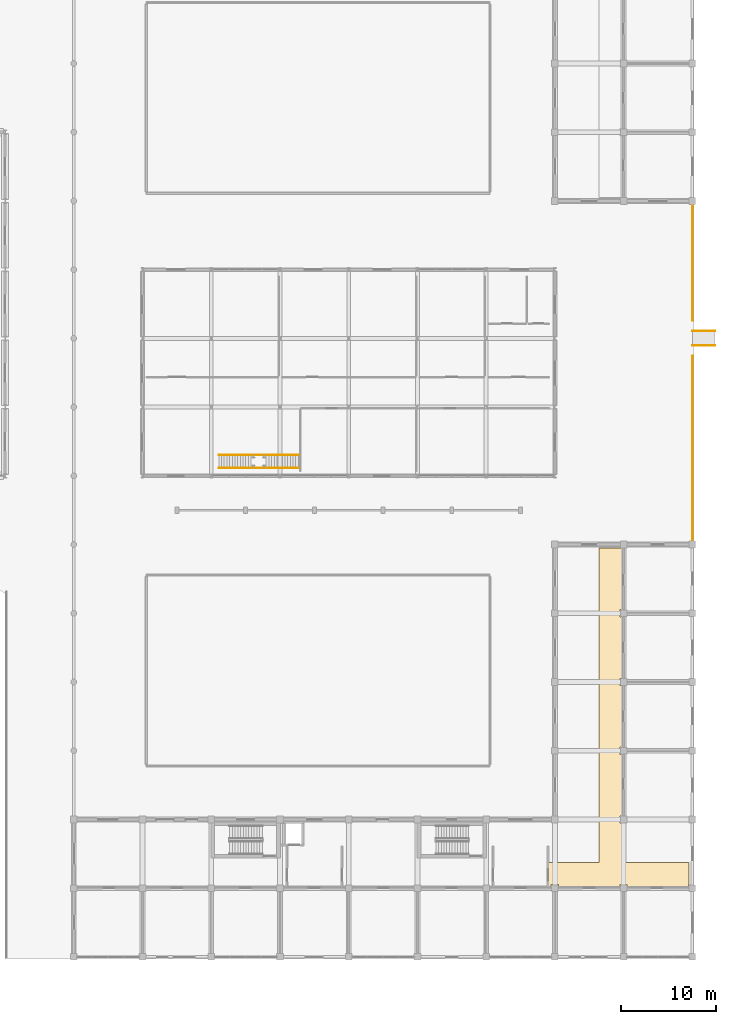
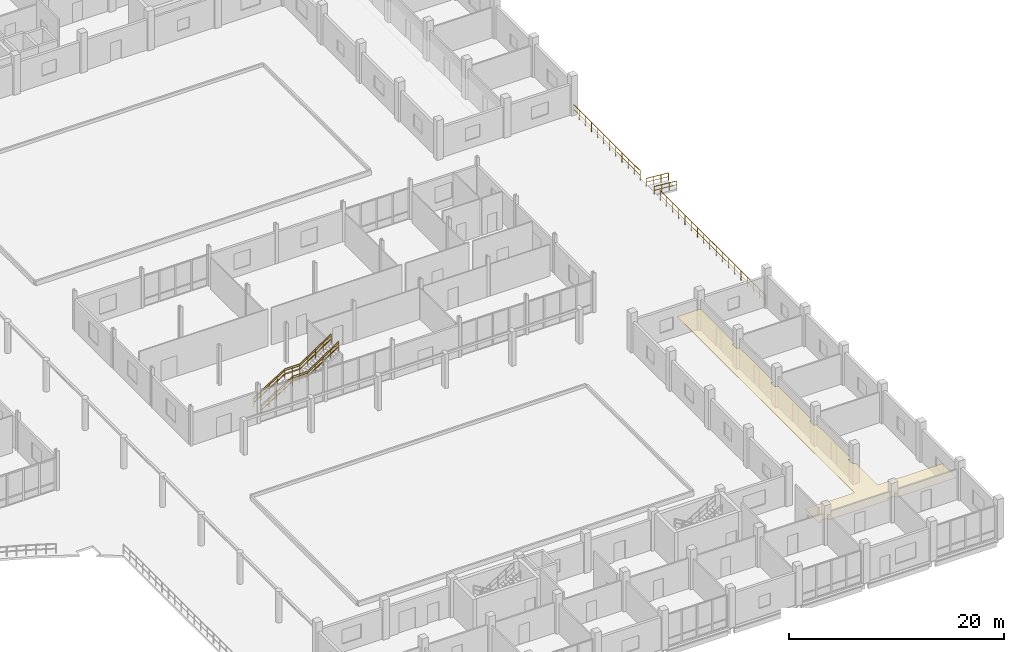
# One storey, part 136 of 139: 16 railings, 1 covering.
"""IFC4 building model written with IfcOpenShell, lengths in metres."""

import ifcopenshell
import ifcopenshell.guid

model = None  # the IFC model being written
_history = None  # IfcOwnerHistory: only IFC2X3 demands one
_inside = {}  # id of a spatial element -> (the spatial element, [elements in it])
_under = {}  # id of a project, library or spatial element -> (it, [spatial elements below it])
_declared = {}  # id of a project -> (the project, [libraries it declares])
_typed = {}  # id of a type object -> (the type object, [elements of that type])
_made_of = {}  # id of a material, layer set ... -> (it, [elements and type objects made of it])


def new_model(schema):
    """Start an empty IFC model of exactly this schema.

    Asked for "IFC4X3", IfcOpenShell would pick the latest addendum, in which some entities
    have other attributes; the version numbers below select the first issue.
    IFC2X3 requires an IfcOwnerHistory on every rooted entity: one is made here for all.
    """
    global model, _history
    if schema == "IFC4X3":
        model = ifcopenshell.file(schema_version=(4, 3, 0, 0))
    else:
        model = ifcopenshell.file(schema=schema)
    _inside.clear()
    _under.clear()
    _declared.clear()
    _typed.clear()
    _made_of.clear()
    _history = None
    if model.schema == "IFC2X3":
        org = make("IfcOrganization", Name="unknown")
        user = make(
            "IfcPersonAndOrganization",
            ThePerson=make("IfcPerson", FamilyName="unknown"),
            TheOrganization=org,
        )
        app = make(
            "IfcApplication",
            ApplicationDeveloper=org,
            Version="unknown",
            ApplicationFullName="unknown",
            ApplicationIdentifier="unknown",
        )
        _history = make(
            "IfcOwnerHistory",
            OwningUser=user,
            OwningApplication=app,
            ChangeAction="ADDED",
            CreationDate=0,
        )
    return model


def make(cls, **values):
    """One entity of the class cls with the attributes given. An attribute that is None is left unset."""
    return model.create_entity(
        cls, **{name: value for name, value in values.items() if value is not None}
    )


def rooted(cls, **values):
    """An entity with a GlobalId (a new one), such as an element, a storey or a relation."""
    return make(cls, GlobalId=ifcopenshell.guid.new(), OwnerHistory=_history, **values)


def si_unit(unit_type, name, prefix=None):
    """IfcSIUnit, for example si_unit("LENGTHUNIT", "METRE", prefix="MILLI")."""
    return make("IfcSIUnit", UnitType=unit_type, Prefix=prefix, Name=name)


def assignment(units):
    """IfcUnitAssignment: the units of a project."""
    return None if units is None else make("IfcUnitAssignment", Units=units)


def point(xyz):
    """IfcCartesianPoint."""
    return None if xyz is None else make("IfcCartesianPoint", Coordinates=xyz)


def direction(xyz):
    """IfcDirection."""
    return None if xyz is None else make("IfcDirection", DirectionRatios=xyz)


def frame(location, z_axis=None, x_axis=None):
    """IfcAxis2Placement3D, a coordinate frame: its origin and axes. An axis left out is left unset."""
    return make(
        "IfcAxis2Placement3D",
        Location=point(location),
        Axis=direction(z_axis),
        RefDirection=direction(x_axis),
    )


def frame_2d(location, x_axis=None):
    """IfcAxis2Placement2D, a coordinate frame in the plane: its origin and x axis."""
    return make(
        "IfcAxis2Placement2D", Location=point(location), RefDirection=direction(x_axis)
    )


def origin():
    """The frame at (0, 0, 0) with its axes left unset."""
    return frame((0.0, 0.0, 0.0))


def origin_2d():
    """The frame at (0, 0) in the plane with its x axis left unset."""
    return frame_2d((0.0, 0.0))


def place(relative_to, where):
    """IfcLocalPlacement: puts the frame where relative to a parent placement (None: the world)."""
    return make(
        "IfcLocalPlacement", PlacementRelTo=relative_to, RelativePlacement=where
    )


def context(
    kind, dimensions, precision=None, world=None, true_north=None, identifier=None
):
    """IfcGeometricRepresentationContext, for example the 3D "Model" context."""
    return make(
        "IfcGeometricRepresentationContext",
        ContextIdentifier=identifier,
        ContextType=kind,
        CoordinateSpaceDimension=dimensions,
        Precision=precision,
        WorldCoordinateSystem=world,
        TrueNorth=true_north,
    )


def subcontext(parent, identifier, kind, view, scale=None):
    """IfcGeometricRepresentationSubContext, for example "Body" below "Model"."""
    return make(
        "IfcGeometricRepresentationSubContext",
        ContextIdentifier=identifier,
        ContextType=kind,
        ParentContext=parent,
        TargetScale=scale,
        TargetView=view,
    )


def project(units=None, contexts=None):
    """IfcProject with its units and contexts."""
    return rooted(
        "IfcProject",
        Name="project",
        RepresentationContexts=contexts,
        UnitsInContext=assignment(units),
    )


def spatial(cls, under=None, at=None, **own):
    """A site, building, storey or space (cls), placed at a placement, below another one or the project."""
    s = rooted(cls, ObjectPlacement=at, **own)
    if under is not None:
        _under.setdefault(under.id(), (under, []))[1].append(s)
    return s


def polyline(points):
    """IfcPolyline through the points."""
    return make("IfcPolyline", Points=[point(p) for p in points])


def profile(cls, at=None, kind="AREA", **sizes):
    """A parametric profile (cls). Its sizes go by their IFC names, for example OverallWidth=200.0."""
    return make(cls, ProfileType=kind, Position=at, **sizes)


def rectangle(**sizes):
    """IfcRectangleProfileDef."""
    return profile("IfcRectangleProfileDef", **sizes)


def outline(outer, holes=None, kind="AREA"):
    """IfcArbitraryClosedProfileDef: a profile drawn as a closed curve; with holes, ...WithVoids."""
    if holes is None:
        return make("IfcArbitraryClosedProfileDef", ProfileType=kind, OuterCurve=outer)
    return make(
        "IfcArbitraryProfileDefWithVoids",
        ProfileType=kind,
        OuterCurve=outer,
        InnerCurves=holes,
    )


def extrude(swept, where, along, depth):
    """IfcExtrudedAreaSolid: the profile swept, set in the frame where, extruded along a direction by depth."""
    return make(
        "IfcExtrudedAreaSolid",
        SweptArea=swept,
        Position=where,
        ExtrudedDirection=direction(along),
        Depth=depth,
    )


def shape(context_of_items, identifier, shape_type, items):
    """IfcShapeRepresentation: the items that make up one representation, for example the "Body"."""
    return make(
        "IfcShapeRepresentation",
        ContextOfItems=context_of_items,
        RepresentationIdentifier=identifier,
        RepresentationType=shape_type,
        Items=items,
    )


def material(Name=None, Category=None):
    """IfcMaterial."""
    return make("IfcMaterial", Name=Name, Category=Category)


def layer(
    of_material, thickness, ventilated=None, Name=None, Category=None, Priority=None
):
    """IfcMaterialLayer: one layer of a wall or slab, of a material (None: an air gap)."""
    return make(
        "IfcMaterialLayer",
        Material=of_material,
        LayerThickness=thickness,
        IsVentilated=ventilated,
        Name=Name,
        Category=Category,
        Priority=Priority,
    )


def layer_set(layers, Name=None):
    """IfcMaterialLayerSet."""
    return make("IfcMaterialLayerSet", MaterialLayers=layers, LayerSetName=Name)


def made_of(thing, what):
    """Note that an element or type object is made of a material, layer set ...; save() writes the relation."""
    if what is not None:
        _made_of.setdefault(what.id(), (what, []))[1].append(thing)
    return thing


def type_object(cls, material=None, **own):
    """A type object (cls), such as IfcWallType, which elements share."""
    return made_of(rooted(cls, **own), material)


def element(
    cls,
    number,
    at=None,
    inside=None,
    cuts=None,
    type_object=None,
    material=None,
    context=None,
    identifier="Body",
    shape_type=None,
    held_by="IfcProductDefinitionShape",
    body=None,
    shapes=None,
    **own,
):
    """One element of the class cls, such as IfcWall. Its Tag is "e" and its number.

    at: its placement. inside: the storey or other place that contains it. cuts: it is an
    opening in that element (IfcRelVoidsElement). A single representation is given by context,
    identifier, shape_type and body (its items); several are given by shapes. held_by: the class
    of the entity that holds the representations. save() writes the other relations.
    """
    e = rooted(cls, Tag="e%d" % number, ObjectPlacement=at, **own)
    if body is not None:
        shapes = [shape(context, identifier, shape_type, body)]
    if shapes is not None:
        e.Representation = make(held_by, Representations=shapes)
    if inside is not None:
        _inside.setdefault(inside.id(), (inside, []))[1].append(e)
    if cuts is not None:
        rooted(
            "IfcRelVoidsElement", RelatingBuildingElement=cuts, RelatedOpeningElement=e
        )
    if type_object is not None:
        _typed.setdefault(type_object.id(), (type_object, []))[1].append(e)
    return made_of(e, material)


def aggregate(whole, parts):
    """IfcRelAggregates: a whole, such as a stair, and the parts it consists of."""
    return rooted("IfcRelAggregates", RelatingObject=whole, RelatedObjects=parts)


def save(model, path):
    """Write the relations noted so far, then the file.

    IfcRelAggregates (storeys below a building ...), IfcRelContainedInSpatialStructure (elements
    in a storey), IfcRelDefinesByType, IfcRelAssociatesMaterial and IfcRelDeclares: one each for
    every whole, place, type object, material and project.
    """
    for whole, parts in _under.values():
        aggregate(whole, parts)
    for where, things in _inside.values():
        rooted(
            "IfcRelContainedInSpatialStructure",
            RelatedElements=things,
            RelatingStructure=where,
        )
    for kind, things in _typed.values():
        rooted("IfcRelDefinesByType", RelatedObjects=things, RelatingType=kind)
    for what, things in _made_of.values():
        rooted("IfcRelAssociatesMaterial", RelatedObjects=things, RelatingMaterial=what)
    for by, libraries in _declared.values():
        rooted("IfcRelDeclares", RelatingContext=by, RelatedDefinitions=libraries)
    model.write(path)


model = new_model("IFC4")

# Units and contexts
model_context = context("Model", 3, precision=1e-05, world=origin(), true_north=direction((0.0, 1.0)))
body_context = subcontext(model_context, "Body", "Model", "MODEL_VIEW")
ifc_project = project(units=[si_unit("LENGTHUNIT", "METRE"), si_unit("AREAUNIT", "SQUARE_METRE"), si_unit("VOLUMEUNIT", "CUBIC_METRE"), si_unit("PLANEANGLEUNIT", "RADIAN"), si_unit("MASSUNIT", "GRAM", prefix="KILO")], contexts=[model_context])

# Site, building, storey
site_placement = place(None, origin())
site = spatial("IfcSite", under=ifc_project, at=site_placement, CompositionType="ELEMENT")
building_placement = place(site_placement, origin())
building = spatial("IfcBuilding", under=site, at=building_placement, Name="Suanplinth Sawtooth Commons", CompositionType="ELEMENT")
storey_placement = place(building_placement, origin())
storey = spatial("IfcBuildingStorey", under=building, at=storey_placement, Name="L00", CompositionType="ELEMENT", Elevation=0.0)

# Covering
ifc_material_1 = material(Name="Mineral fibre acoustic tile")
ifc_layer = layer(ifc_material_1, 0.0400390625, Name="Perforated mineral-fibre acoustic suspended ceiling")
ifc_layer_set = layer_set([ifc_layer], Name="Mineral fibre acoustic tile")
covering_type = type_object("IfcCoveringType", Name="CV-CE01", PredefinedType="CEILING", material=ifc_layer_set)
covering_placement = place(storey_placement, frame((0.0, 0.0, 2.3798828125)))
element("IfcCovering", 1, at=covering_placement, inside=storey, type_object=covering_type, Name="L00 Block C Corridor Acoustic Ceiling", PredefinedType="CEILING", context=body_context, shape_type="SweptSolid", body=[
    extrude(outline(polyline([(172.1201171875, 9.89990234375), (177.39990234375, 9.89990234375), (177.39990234375, 42.840087890625), (179.6201171875, 42.840087890625), (179.6201171875, 42.820068359375), (179.919921875, 42.820068359375), (179.919921875, 36.3798828125), (179.6201171875, 36.3798828125), (179.6201171875, 35.6201171875), (179.919921875, 35.6201171875), (179.919921875, 29.179931640625), (179.6201171875, 29.179931640625), (179.6201171875, 28.419921875), (179.919921875, 28.419921875), (179.919921875, 21.97998046875), (179.6201171875, 21.97998046875), (179.6201171875, 21.219970703125), (179.919921875, 21.219970703125), (179.919921875, 14.780029296875), (179.6201171875, 14.780029296875), (179.6201171875, 14.02001953125), (179.919921875, 14.02001953125), (179.919921875, 9.89990234375), (186.840087890625, 9.89990234375), (186.840087890625, 7.580078125), (186.820068359375, 7.580078125), (186.820068359375, 7.280029296875), (180.3798828125, 7.280029296875), (180.3798828125, 7.580078125), (179.6201171875, 7.580078125), (179.6201171875, 7.280029296875), (173.179931640625, 7.280029296875), (173.179931640625, 7.580078125), (172.419921875, 7.580078125), (172.419921875, 7.280029296875), (172.1201171875, 7.280029296875), (172.1201171875, 9.89990234375)])), origin(), (0.0, 0.0, 1.0), 0.0400390625),
])

# Railings
ifc_material_2 = material(Name="Powder-coated galvanized steel", Category="steel")
railing_type_1 = type_object("IfcRailingType", Name="GR-01", PredefinedType="BALUSTRADE", material=ifc_material_2)
railing_1_placement = place(storey_placement, frame((187.199951171875, 43.300048828125, 0.0)))
element("IfcRailing", 2, at=railing_1_placement, inside=storey, type_object=railing_type_1, Name="Perimeter Plinth Balustrade RLG-PLZ-E1", PredefinedType="BALUSTRADE", context=body_context, shape_type="SweptSolid", body=[
    extrude(rectangle(XDim=0.048095703125, YDim=0.048095703125, at=origin_2d()), frame((0.0, 0.0, 1.09619140625), z_axis=(0.0, 1.0, 0.0), x_axis=(-1.0, 0.0, 0.0)), (0.0, 0.0, 1.0), 19.64990234375),
    extrude(rectangle(XDim=0.03369140625, YDim=0.03369140625, at=origin_2d()), frame((0.0, 0.0, 0.56005859375), z_axis=(0.0, 1.0, 0.0), x_axis=(-1.0, 0.0, 0.0)), (0.0, 0.0, 1.0), 19.64990234375),
    extrude(rectangle(XDim=0.0419921875, YDim=0.0419921875, at=origin_2d()), origin(), (0.0, 0.0, 1.0), 1.072021484375),
    extrude(rectangle(XDim=0.0419921875, YDim=0.0419921875, at=origin_2d()), frame((0.0, 1.15576171875, 0.0)), (0.0, 0.0, 1.0), 1.072021484375),
    extrude(rectangle(XDim=0.0419921875, YDim=0.0419921875, at=origin_2d()), frame((0.0, 2.311767578125, 0.0)), (0.0, 0.0, 1.0), 1.072021484375),
    extrude(rectangle(XDim=0.0419921875, YDim=0.0419921875, at=origin_2d()), frame((0.0, 3.467529296875, 0.0)), (0.0, 0.0, 1.0), 1.072021484375),
    extrude(rectangle(XDim=0.0419921875, YDim=0.0419921875, at=origin_2d()), frame((0.0, 4.62353515625, 0.0)), (0.0, 0.0, 1.0), 1.072021484375),
    extrude(rectangle(XDim=0.0419921875, YDim=0.0419921875, at=origin_2d()), frame((0.0, 5.779296875, 0.0)), (0.0, 0.0, 1.0), 1.072021484375),
    extrude(rectangle(XDim=0.0419921875, YDim=0.0419921875, at=origin_2d()), frame((0.0, 6.935302734375, 0.0)), (0.0, 0.0, 1.0), 1.072021484375),
    extrude(rectangle(XDim=0.0419921875, YDim=0.0419921875, at=origin_2d()), frame((0.0, 8.091064453125, 0.0)), (0.0, 0.0, 1.0), 1.072021484375),
    extrude(rectangle(XDim=0.0419921875, YDim=0.0419921875, at=origin_2d()), frame((0.0, 9.2470703125, 0.0)), (0.0, 0.0, 1.0), 1.072021484375),
    extrude(rectangle(XDim=0.0419921875, YDim=0.0419921875, at=origin_2d()), frame((0.0, 10.40283203125, 0.0)), (0.0, 0.0, 1.0), 1.072021484375),
    extrude(rectangle(XDim=0.0419921875, YDim=0.0419921875, at=origin_2d()), frame((0.0, 11.558837890625, 0.0)), (0.0, 0.0, 1.0), 1.072021484375),
    extrude(rectangle(XDim=0.0419921875, YDim=0.0419921875, at=origin_2d()), frame((0.0, 12.714599609375, 0.0)), (0.0, 0.0, 1.0), 1.072021484375),
    extrude(rectangle(XDim=0.0419921875, YDim=0.0419921875, at=origin_2d()), frame((0.0, 13.87060546875, 0.0)), (0.0, 0.0, 1.0), 1.072021484375),
    extrude(rectangle(XDim=0.0419921875, YDim=0.0419921875, at=origin_2d()), frame((0.0, 15.0263671875, 0.0)), (0.0, 0.0, 1.0), 1.072021484375),
    extrude(rectangle(XDim=0.0419921875, YDim=0.0419921875, at=origin_2d()), frame((0.0, 16.182373046875, 0.0)), (0.0, 0.0, 1.0), 1.072021484375),
    extrude(rectangle(XDim=0.0419921875, YDim=0.0419921875, at=origin_2d()), frame((0.0, 17.338134765625, 0.0)), (0.0, 0.0, 1.0), 1.072021484375),
    extrude(rectangle(XDim=0.0419921875, YDim=0.0419921875, at=origin_2d()), frame((0.0, 18.494140625, 0.0)), (0.0, 0.0, 1.0), 1.072021484375),
    extrude(rectangle(XDim=0.0419921875, YDim=0.0419921875, at=origin_2d()), frame((0.0, 19.64990234375, 0.0)), (0.0, 0.0, 1.0), 1.072021484375),
])
railing_2_placement = place(storey_placement, frame((187.199951171875, 66.64990234375, 0.0)))
element("IfcRailing", 3, at=railing_2_placement, inside=storey, type_object=railing_type_1, Name="Perimeter Plinth Balustrade RLG-PLZ-E2", PredefinedType="BALUSTRADE", context=body_context, shape_type="SweptSolid", body=[
    extrude(rectangle(XDim=0.048095703125, YDim=0.048095703125, at=origin_2d()), frame((0.0, 0.0, 1.09619140625), z_axis=(0.0, 1.0, 0.0), x_axis=(-1.0, 0.0, 0.0)), (0.0, 0.0, 1.0), 12.4501953125),
    extrude(rectangle(XDim=0.03369140625, YDim=0.03369140625, at=origin_2d()), frame((0.0, 0.0, 0.56005859375), z_axis=(0.0, 1.0, 0.0), x_axis=(-1.0, 0.0, 0.0)), (0.0, 0.0, 1.0), 12.4501953125),
    extrude(rectangle(XDim=0.0419921875, YDim=0.0419921875, at=origin_2d()), origin(), (0.0, 0.0, 1.0), 1.072021484375),
    extrude(rectangle(XDim=0.0419921875, YDim=0.0419921875, at=origin_2d()), frame((0.0, 1.1318359375, 0.0)), (0.0, 0.0, 1.0), 1.072021484375),
    extrude(rectangle(XDim=0.0419921875, YDim=0.0419921875, at=origin_2d()), frame((0.0, 2.263671875, 0.0)), (0.0, 0.0, 1.0), 1.072021484375),
    extrude(rectangle(XDim=0.0419921875, YDim=0.0419921875, at=origin_2d()), frame((0.0, 3.3955078125, 0.0)), (0.0, 0.0, 1.0), 1.072021484375),
    extrude(rectangle(XDim=0.0419921875, YDim=0.0419921875, at=origin_2d()), frame((0.0, 4.52734375, 0.0)), (0.0, 0.0, 1.0), 1.072021484375),
    extrude(rectangle(XDim=0.0419921875, YDim=0.0419921875, at=origin_2d()), frame((0.0, 5.6591796875, 0.0)), (0.0, 0.0, 1.0), 1.072021484375),
    extrude(rectangle(XDim=0.0419921875, YDim=0.0419921875, at=origin_2d()), frame((0.0, 6.791015625, 0.0)), (0.0, 0.0, 1.0), 1.072021484375),
    extrude(rectangle(XDim=0.0419921875, YDim=0.0419921875, at=origin_2d()), frame((0.0, 7.9228515625, 0.0)), (0.0, 0.0, 1.0), 1.072021484375),
    extrude(rectangle(XDim=0.0419921875, YDim=0.0419921875, at=origin_2d()), frame((0.0, 9.0546875, 0.0)), (0.0, 0.0, 1.0), 1.072021484375),
    extrude(rectangle(XDim=0.0419921875, YDim=0.0419921875, at=origin_2d()), frame((0.0, 10.1865234375, 0.0)), (0.0, 0.0, 1.0), 1.072021484375),
    extrude(rectangle(XDim=0.0419921875, YDim=0.0419921875, at=origin_2d()), frame((0.0, 11.318359375, 0.0)), (0.0, 0.0, 1.0), 1.072021484375),
    extrude(rectangle(XDim=0.0419921875, YDim=0.0419921875, at=origin_2d()), frame((0.0, 12.4501953125, 0.0)), (0.0, 0.0, 1.0), 1.072021484375),
])
ifc_material_3 = material(Name="Stainless steel Grade 304", Category="steel")
railing_type_2 = type_object("IfcRailingType", Name="GR-04", PredefinedType="GUARDRAIL", material=ifc_material_3)
railing_3_placement = place(storey_placement, frame((137.60009765625, 51.199951171875, 0.173095703125)))
element("IfcRailing", 4, at=railing_3_placement, inside=storey, type_object=railing_type_2, Name="East Nursery Pavilion Feature Stair Guard 1-1", PredefinedType="GUARDRAIL", context=body_context, shape_type="SweptSolid", body=[
    extrude(rectangle(XDim=0.048095703125, YDim=0.048095703125, at=origin_2d()), frame((0.0, 0.0, 1.076171875), z_axis=(0.850606129759, 0.0, 0.525803396734), x_axis=(0.0, 1.0, 0.0)), (0.0, 0.0, 1.0), 3.949951171875),
    extrude(rectangle(XDim=0.03369140625, YDim=0.03369140625, at=origin_2d()), frame((0.0, 0.0, 0.550048828125), z_axis=(0.850606129759, 0.0, 0.525803396734), x_axis=(0.0, 1.0, 0.0)), (0.0, 0.0, 1.0), 3.949951171875),
    extrude(rectangle(XDim=0.0419921875, YDim=0.0419921875, at=origin_2d()), origin(), (0.0, 0.0, 1.0), 1.052001953125),
    extrude(rectangle(XDim=0.0419921875, YDim=0.0419921875, at=origin_2d()), frame((0.83984375, 0.0, 0.519287109375)), (0.0, 0.0, 1.0), 1.052001953125),
    extrude(rectangle(XDim=0.0419921875, YDim=0.0419921875, at=origin_2d()), frame((1.679931640625, 0.0, 1.03857421875)), (0.0, 0.0, 1.0), 1.052001953125),
    extrude(rectangle(XDim=0.0419921875, YDim=0.0419921875, at=origin_2d()), frame((2.52001953125, 0.0, 1.5576171875)), (0.0, 0.0, 1.0), 1.052001953125),
    extrude(rectangle(XDim=0.0419921875, YDim=0.0419921875, at=origin_2d()), frame((3.35986328125, 0.0, 2.076904296875)), (0.0, 0.0, 1.0), 1.052001953125),
])
railing_4_placement = place(storey_placement, frame((140.9599609375, 51.199951171875, 2.25)))
element("IfcRailing", 5, at=railing_4_placement, inside=storey, type_object=railing_type_2, Name="East Nursery Pavilion Feature Stair Guard 1-2", PredefinedType="GUARDRAIL", context=body_context, shape_type="SweptSolid", body=[
    extrude(rectangle(XDim=0.048095703125, YDim=0.048095703125, at=origin_2d()), frame((0.0, 0.0, 1.076171875), z_axis=(1.0, 0.0, 0.0), x_axis=(0.0, 1.0, 0.0)), (0.0, 0.0, 1.0), 1.60009765625),
    extrude(rectangle(XDim=0.03369140625, YDim=0.03369140625, at=origin_2d()), frame((0.0, 0.0, 0.550048828125), z_axis=(1.0, 0.0, 0.0), x_axis=(0.0, 1.0, 0.0)), (0.0, 0.0, 1.0), 1.60009765625),
    extrude(rectangle(XDim=0.0419921875, YDim=0.0419921875, at=origin_2d()), origin(), (0.0, 0.0, 1.0), 1.052001953125),
    extrude(rectangle(XDim=0.0419921875, YDim=0.0419921875, at=origin_2d()), frame((0.800048828125, 0.0, 0.0)), (0.0, 0.0, 1.0), 1.052001953125),
    extrude(rectangle(XDim=0.0419921875, YDim=0.0419921875, at=origin_2d()), frame((1.60009765625, 0.0, 0.0)), (0.0, 0.0, 1.0), 1.052001953125),
])
railing_5_placement = place(storey_placement, frame((142.56005859375, 51.199951171875, 2.25)))
element("IfcRailing", 6, at=railing_5_placement, inside=storey, type_object=railing_type_2, Name="East Nursery Pavilion Feature Stair Guard 1-3", PredefinedType="GUARDRAIL", context=body_context, shape_type="SweptSolid", body=[
    extrude(rectangle(XDim=0.048095703125, YDim=0.048095703125, at=origin_2d()), frame((0.0, 0.0, 1.076171875), z_axis=(0.830896709279, 0.0, 0.556426687452), x_axis=(0.0, 1.0, 0.0)), (0.0, 0.0, 1.0), 4.043701171875),
    extrude(rectangle(XDim=0.03369140625, YDim=0.03369140625, at=origin_2d()), frame((0.0, 0.0, 0.550048828125), z_axis=(0.830896709279, 0.0, 0.556426687452), x_axis=(0.0, 1.0, 0.0)), (0.0, 0.0, 1.0), 4.043701171875),
    extrude(rectangle(XDim=0.0419921875, YDim=0.0419921875, at=origin_2d()), origin(), (0.0, 0.0, 1.0), 1.052001953125),
    extrude(rectangle(XDim=0.0419921875, YDim=0.0419921875, at=origin_2d()), frame((0.83984375, 0.0, 0.5625)), (0.0, 0.0, 1.0), 1.052001953125),
    extrude(rectangle(XDim=0.0419921875, YDim=0.0419921875, at=origin_2d()), frame((1.679931640625, 0.0, 1.125)), (0.0, 0.0, 1.0), 1.052001953125),
    extrude(rectangle(XDim=0.0419921875, YDim=0.0419921875, at=origin_2d()), frame((2.52001953125, 0.0, 1.6875)), (0.0, 0.0, 1.0), 1.052001953125),
    extrude(rectangle(XDim=0.0419921875, YDim=0.0419921875, at=origin_2d()), frame((3.35986328125, 0.0, 2.25)), (0.0, 0.0, 1.0), 1.052001953125),
])
railing_6_placement = place(storey_placement, frame((137.60009765625, 52.60009765625, 0.173095703125)))
element("IfcRailing", 7, at=railing_6_placement, inside=storey, type_object=railing_type_2, Name="East Nursery Pavilion Feature Stair Guard 2-1", PredefinedType="GUARDRAIL", context=body_context, shape_type="SweptSolid", body=[
    extrude(rectangle(XDim=0.048095703125, YDim=0.048095703125, at=origin_2d()), frame((0.0, 0.0, 1.076171875), z_axis=(0.850606129759, 0.0, 0.525803396734), x_axis=(0.0, 1.0, 0.0)), (0.0, 0.0, 1.0), 3.949951171875),
    extrude(rectangle(XDim=0.03369140625, YDim=0.03369140625, at=origin_2d()), frame((0.0, 0.0, 0.550048828125), z_axis=(0.850606129759, 0.0, 0.525803396734), x_axis=(0.0, 1.0, 0.0)), (0.0, 0.0, 1.0), 3.949951171875),
    extrude(rectangle(XDim=0.0419921875, YDim=0.0419921875, at=origin_2d()), origin(), (0.0, 0.0, 1.0), 1.052001953125),
    extrude(rectangle(XDim=0.0419921875, YDim=0.0419921875, at=origin_2d()), frame((0.83984375, 0.0, 0.519287109375)), (0.0, 0.0, 1.0), 1.052001953125),
    extrude(rectangle(XDim=0.0419921875, YDim=0.0419921875, at=origin_2d()), frame((1.679931640625, 0.0, 1.03857421875)), (0.0, 0.0, 1.0), 1.052001953125),
    extrude(rectangle(XDim=0.0419921875, YDim=0.0419921875, at=origin_2d()), frame((2.52001953125, 0.0, 1.5576171875)), (0.0, 0.0, 1.0), 1.052001953125),
    extrude(rectangle(XDim=0.0419921875, YDim=0.0419921875, at=origin_2d()), frame((3.35986328125, 0.0, 2.076904296875)), (0.0, 0.0, 1.0), 1.052001953125),
])
railing_7_placement = place(storey_placement, frame((140.9599609375, 52.60009765625, 2.25)))
element("IfcRailing", 8, at=railing_7_placement, inside=storey, type_object=railing_type_2, Name="East Nursery Pavilion Feature Stair Guard 2-2", PredefinedType="GUARDRAIL", context=body_context, shape_type="SweptSolid", body=[
    extrude(rectangle(XDim=0.048095703125, YDim=0.048095703125, at=origin_2d()), frame((0.0, 0.0, 1.076171875), z_axis=(1.0, 0.0, 0.0), x_axis=(0.0, 1.0, 0.0)), (0.0, 0.0, 1.0), 1.60009765625),
    extrude(rectangle(XDim=0.03369140625, YDim=0.03369140625, at=origin_2d()), frame((0.0, 0.0, 0.550048828125), z_axis=(1.0, 0.0, 0.0), x_axis=(0.0, 1.0, 0.0)), (0.0, 0.0, 1.0), 1.60009765625),
    extrude(rectangle(XDim=0.0419921875, YDim=0.0419921875, at=origin_2d()), origin(), (0.0, 0.0, 1.0), 1.052001953125),
    extrude(rectangle(XDim=0.0419921875, YDim=0.0419921875, at=origin_2d()), frame((0.800048828125, 0.0, 0.0)), (0.0, 0.0, 1.0), 1.052001953125),
    extrude(rectangle(XDim=0.0419921875, YDim=0.0419921875, at=origin_2d()), frame((1.60009765625, 0.0, 0.0)), (0.0, 0.0, 1.0), 1.052001953125),
])
railing_8_placement = place(storey_placement, frame((142.56005859375, 52.60009765625, 2.25)))
element("IfcRailing", 9, at=railing_8_placement, inside=storey, type_object=railing_type_2, Name="East Nursery Pavilion Feature Stair Guard 2-3", PredefinedType="GUARDRAIL", context=body_context, shape_type="SweptSolid", body=[
    extrude(rectangle(XDim=0.048095703125, YDim=0.048095703125, at=origin_2d()), frame((0.0, 0.0, 1.076171875), z_axis=(0.830896709279, 0.0, 0.556426687452), x_axis=(0.0, 1.0, 0.0)), (0.0, 0.0, 1.0), 4.043701171875),
    extrude(rectangle(XDim=0.03369140625, YDim=0.03369140625, at=origin_2d()), frame((0.0, 0.0, 0.550048828125), z_axis=(0.830896709279, 0.0, 0.556426687452), x_axis=(0.0, 1.0, 0.0)), (0.0, 0.0, 1.0), 4.043701171875),
    extrude(rectangle(XDim=0.0419921875, YDim=0.0419921875, at=origin_2d()), origin(), (0.0, 0.0, 1.0), 1.052001953125),
    extrude(rectangle(XDim=0.0419921875, YDim=0.0419921875, at=origin_2d()), frame((0.83984375, 0.0, 0.5625)), (0.0, 0.0, 1.0), 1.052001953125),
    extrude(rectangle(XDim=0.0419921875, YDim=0.0419921875, at=origin_2d()), frame((1.679931640625, 0.0, 1.125)), (0.0, 0.0, 1.0), 1.052001953125),
    extrude(rectangle(XDim=0.0419921875, YDim=0.0419921875, at=origin_2d()), frame((2.52001953125, 0.0, 1.6875)), (0.0, 0.0, 1.0), 1.052001953125),
    extrude(rectangle(XDim=0.0419921875, YDim=0.0419921875, at=origin_2d()), frame((3.35986328125, 0.0, 2.25)), (0.0, 0.0, 1.0), 1.052001953125),
])
railing_type_3 = type_object("IfcRailingType", Name="HR-01", PredefinedType="HANDRAIL", material=ifc_material_3)
railing_9_placement = place(storey_placement, frame((137.60009765625, 51.199951171875, 0.173095703125)))
element("IfcRailing", 10, at=railing_9_placement, inside=storey, type_object=railing_type_3, Name="East Nursery Pavilion Feature Stair Handrail 1-1", PredefinedType="HANDRAIL", context=body_context, shape_type="SweptSolid", body=[
    extrude(rectangle(XDim=0.048095703125, YDim=0.048095703125, at=origin_2d()), frame((0.0, 0.0, 0.8759765625), z_axis=(0.850606129759, 0.0, 0.525803396734), x_axis=(0.0, 1.0, 0.0)), (0.0, 0.0, 1.0), 3.949951171875),
    extrude(rectangle(XDim=0.03369140625, YDim=0.03369140625, at=origin_2d()), frame((0.0, 0.0, 0.449951171875), z_axis=(0.850606129759, 0.0, 0.525803396734), x_axis=(0.0, 1.0, 0.0)), (0.0, 0.0, 1.0), 3.949951171875),
    extrude(rectangle(XDim=0.0419921875, YDim=0.0419921875, at=origin_2d()), origin(), (0.0, 0.0, 1.0), 0.851806640625),
    extrude(rectangle(XDim=0.0419921875, YDim=0.0419921875, at=origin_2d()), frame((0.83984375, 0.0, 0.519287109375)), (0.0, 0.0, 1.0), 0.851806640625),
    extrude(rectangle(XDim=0.0419921875, YDim=0.0419921875, at=origin_2d()), frame((1.679931640625, 0.0, 1.03857421875)), (0.0, 0.0, 1.0), 0.851806640625),
    extrude(rectangle(XDim=0.0419921875, YDim=0.0419921875, at=origin_2d()), frame((2.52001953125, 0.0, 1.5576171875)), (0.0, 0.0, 1.0), 0.851806640625),
    extrude(rectangle(XDim=0.0419921875, YDim=0.0419921875, at=origin_2d()), frame((3.35986328125, 0.0, 2.076904296875)), (0.0, 0.0, 1.0), 0.851806640625),
])
railing_10_placement = place(storey_placement, frame((140.9599609375, 51.199951171875, 2.25)))
element("IfcRailing", 11, at=railing_10_placement, inside=storey, type_object=railing_type_3, Name="East Nursery Pavilion Feature Stair Handrail 1-2", PredefinedType="HANDRAIL", context=body_context, shape_type="SweptSolid", body=[
    extrude(rectangle(XDim=0.048095703125, YDim=0.048095703125, at=origin_2d()), frame((0.0, 0.0, 0.8759765625), z_axis=(1.0, 0.0, 0.0), x_axis=(0.0, 1.0, 0.0)), (0.0, 0.0, 1.0), 1.60009765625),
    extrude(rectangle(XDim=0.03369140625, YDim=0.03369140625, at=origin_2d()), frame((0.0, 0.0, 0.449951171875), z_axis=(1.0, 0.0, 0.0), x_axis=(0.0, 1.0, 0.0)), (0.0, 0.0, 1.0), 1.60009765625),
    extrude(rectangle(XDim=0.0419921875, YDim=0.0419921875, at=origin_2d()), origin(), (0.0, 0.0, 1.0), 0.851806640625),
    extrude(rectangle(XDim=0.0419921875, YDim=0.0419921875, at=origin_2d()), frame((0.800048828125, 0.0, 0.0)), (0.0, 0.0, 1.0), 0.851806640625),
    extrude(rectangle(XDim=0.0419921875, YDim=0.0419921875, at=origin_2d()), frame((1.60009765625, 0.0, 0.0)), (0.0, 0.0, 1.0), 0.851806640625),
])
railing_11_placement = place(storey_placement, frame((142.56005859375, 51.199951171875, 2.25)))
element("IfcRailing", 12, at=railing_11_placement, inside=storey, type_object=railing_type_3, Name="East Nursery Pavilion Feature Stair Handrail 1-3", PredefinedType="HANDRAIL", context=body_context, shape_type="SweptSolid", body=[
    extrude(rectangle(XDim=0.048095703125, YDim=0.048095703125, at=origin_2d()), frame((0.0, 0.0, 0.8759765625), z_axis=(0.830896709279, 0.0, 0.556426687452), x_axis=(0.0, 1.0, 0.0)), (0.0, 0.0, 1.0), 4.043701171875),
    extrude(rectangle(XDim=0.03369140625, YDim=0.03369140625, at=origin_2d()), frame((0.0, 0.0, 0.449951171875), z_axis=(0.830896709279, 0.0, 0.556426687452), x_axis=(0.0, 1.0, 0.0)), (0.0, 0.0, 1.0), 4.043701171875),
    extrude(rectangle(XDim=0.0419921875, YDim=0.0419921875, at=origin_2d()), origin(), (0.0, 0.0, 1.0), 0.851806640625),
    extrude(rectangle(XDim=0.0419921875, YDim=0.0419921875, at=origin_2d()), frame((0.83984375, 0.0, 0.5625)), (0.0, 0.0, 1.0), 0.851806640625),
    extrude(rectangle(XDim=0.0419921875, YDim=0.0419921875, at=origin_2d()), frame((1.679931640625, 0.0, 1.125)), (0.0, 0.0, 1.0), 0.851806640625),
    extrude(rectangle(XDim=0.0419921875, YDim=0.0419921875, at=origin_2d()), frame((2.52001953125, 0.0, 1.6875)), (0.0, 0.0, 1.0), 0.851806640625),
    extrude(rectangle(XDim=0.0419921875, YDim=0.0419921875, at=origin_2d()), frame((3.35986328125, 0.0, 2.25)), (0.0, 0.0, 1.0), 0.851806640625),
])
railing_12_placement = place(storey_placement, frame((137.60009765625, 52.60009765625, 0.173095703125)))
element("IfcRailing", 13, at=railing_12_placement, inside=storey, type_object=railing_type_3, Name="East Nursery Pavilion Feature Stair Handrail 2-1", PredefinedType="HANDRAIL", context=body_context, shape_type="SweptSolid", body=[
    extrude(rectangle(XDim=0.048095703125, YDim=0.048095703125, at=origin_2d()), frame((0.0, 0.0, 0.8759765625), z_axis=(0.850606129759, 0.0, 0.525803396734), x_axis=(0.0, 1.0, 0.0)), (0.0, 0.0, 1.0), 3.949951171875),
    extrude(rectangle(XDim=0.03369140625, YDim=0.03369140625, at=origin_2d()), frame((0.0, 0.0, 0.449951171875), z_axis=(0.850606129759, 0.0, 0.525803396734), x_axis=(0.0, 1.0, 0.0)), (0.0, 0.0, 1.0), 3.949951171875),
    extrude(rectangle(XDim=0.0419921875, YDim=0.0419921875, at=origin_2d()), origin(), (0.0, 0.0, 1.0), 0.851806640625),
    extrude(rectangle(XDim=0.0419921875, YDim=0.0419921875, at=origin_2d()), frame((0.83984375, 0.0, 0.519287109375)), (0.0, 0.0, 1.0), 0.851806640625),
    extrude(rectangle(XDim=0.0419921875, YDim=0.0419921875, at=origin_2d()), frame((1.679931640625, 0.0, 1.03857421875)), (0.0, 0.0, 1.0), 0.851806640625),
    extrude(rectangle(XDim=0.0419921875, YDim=0.0419921875, at=origin_2d()), frame((2.52001953125, 0.0, 1.5576171875)), (0.0, 0.0, 1.0), 0.851806640625),
    extrude(rectangle(XDim=0.0419921875, YDim=0.0419921875, at=origin_2d()), frame((3.35986328125, 0.0, 2.076904296875)), (0.0, 0.0, 1.0), 0.851806640625),
])
railing_13_placement = place(storey_placement, frame((140.9599609375, 52.60009765625, 2.25)))
element("IfcRailing", 14, at=railing_13_placement, inside=storey, type_object=railing_type_3, Name="East Nursery Pavilion Feature Stair Handrail 2-2", PredefinedType="HANDRAIL", context=body_context, shape_type="SweptSolid", body=[
    extrude(rectangle(XDim=0.048095703125, YDim=0.048095703125, at=origin_2d()), frame((0.0, 0.0, 0.8759765625), z_axis=(1.0, 0.0, 0.0), x_axis=(0.0, 1.0, 0.0)), (0.0, 0.0, 1.0), 1.60009765625),
    extrude(rectangle(XDim=0.03369140625, YDim=0.03369140625, at=origin_2d()), frame((0.0, 0.0, 0.449951171875), z_axis=(1.0, 0.0, 0.0), x_axis=(0.0, 1.0, 0.0)), (0.0, 0.0, 1.0), 1.60009765625),
    extrude(rectangle(XDim=0.0419921875, YDim=0.0419921875, at=origin_2d()), origin(), (0.0, 0.0, 1.0), 0.851806640625),
    extrude(rectangle(XDim=0.0419921875, YDim=0.0419921875, at=origin_2d()), frame((0.800048828125, 0.0, 0.0)), (0.0, 0.0, 1.0), 0.851806640625),
    extrude(rectangle(XDim=0.0419921875, YDim=0.0419921875, at=origin_2d()), frame((1.60009765625, 0.0, 0.0)), (0.0, 0.0, 1.0), 0.851806640625),
])
railing_14_placement = place(storey_placement, frame((142.56005859375, 52.60009765625, 2.25)))
element("IfcRailing", 15, at=railing_14_placement, inside=storey, type_object=railing_type_3, Name="East Nursery Pavilion Feature Stair Handrail 2-3", PredefinedType="HANDRAIL", context=body_context, shape_type="SweptSolid", body=[
    extrude(rectangle(XDim=0.048095703125, YDim=0.048095703125, at=origin_2d()), frame((0.0, 0.0, 0.8759765625), z_axis=(0.830896709279, 0.0, 0.556426687452), x_axis=(0.0, 1.0, 0.0)), (0.0, 0.0, 1.0), 4.043701171875),
    extrude(rectangle(XDim=0.03369140625, YDim=0.03369140625, at=origin_2d()), frame((0.0, 0.0, 0.449951171875), z_axis=(0.830896709279, 0.0, 0.556426687452), x_axis=(0.0, 1.0, 0.0)), (0.0, 0.0, 1.0), 4.043701171875),
    extrude(rectangle(XDim=0.0419921875, YDim=0.0419921875, at=origin_2d()), origin(), (0.0, 0.0, 1.0), 0.851806640625),
    extrude(rectangle(XDim=0.0419921875, YDim=0.0419921875, at=origin_2d()), frame((0.83984375, 0.0, 0.5625)), (0.0, 0.0, 1.0), 0.851806640625),
    extrude(rectangle(XDim=0.0419921875, YDim=0.0419921875, at=origin_2d()), frame((1.679931640625, 0.0, 1.125)), (0.0, 0.0, 1.0), 0.851806640625),
    extrude(rectangle(XDim=0.0419921875, YDim=0.0419921875, at=origin_2d()), frame((2.52001953125, 0.0, 1.6875)), (0.0, 0.0, 1.0), 0.851806640625),
    extrude(rectangle(XDim=0.0419921875, YDim=0.0419921875, at=origin_2d()), frame((3.35986328125, 0.0, 2.25)), (0.0, 0.0, 1.0), 0.851806640625),
])
for number, where, name in (
    (16, (187.199951171875, 64.0400390625, 0.0), "RMP-AR-04 Handrail"),
    (17, (187.199951171875, 65.56005859375, 0.0), "RMP-AR-04 Handrail"),
):
    element("IfcRailing", number, at=place(storey_placement, frame(where)), inside=storey, type_object=railing_type_3, Name=name, PredefinedType="HANDRAIL", context=body_context, shape_type="SweptSolid", body=[
        extrude(rectangle(XDim=0.048095703125, YDim=0.048095703125, at=origin_2d()), frame((0.0, 0.0, 0.8759765625), z_axis=(0.996547855194, 0.0, -0.083020312624), x_axis=(0.0, 1.0, 0.0)), (0.0, 0.0, 1.0), 2.408447265625),
        extrude(rectangle(XDim=0.03369140625, YDim=0.03369140625, at=origin_2d()), frame((0.0, 0.0, 0.449951171875), z_axis=(0.996547855194, 0.0, -0.083020312624), x_axis=(0.0, 1.0, 0.0)), (0.0, 0.0, 1.0), 2.408447265625),
        extrude(rectangle(XDim=0.0419921875, YDim=0.0419921875, at=origin_2d()), origin(), (0.0, 0.0, 1.0), 0.851806640625),
        extrude(rectangle(XDim=0.0419921875, YDim=0.0419921875, at=origin_2d()), frame((0.800048828125, 0.0, -0.066650390625)), (0.0, 0.0, 1.0), 0.851806640625),
        extrude(rectangle(XDim=0.0419921875, YDim=0.0419921875, at=origin_2d()), frame((1.60009765625, 0.0, -0.13330078125)), (0.0, 0.0, 1.0), 0.851806640625),
        extrude(rectangle(XDim=0.0419921875, YDim=0.0419921875, at=origin_2d()), frame((2.400146484375, 0.0, -0.199951171875)), (0.0, 0.0, 1.0), 0.851806640625),
    ])

save(model, "model.ifc")
